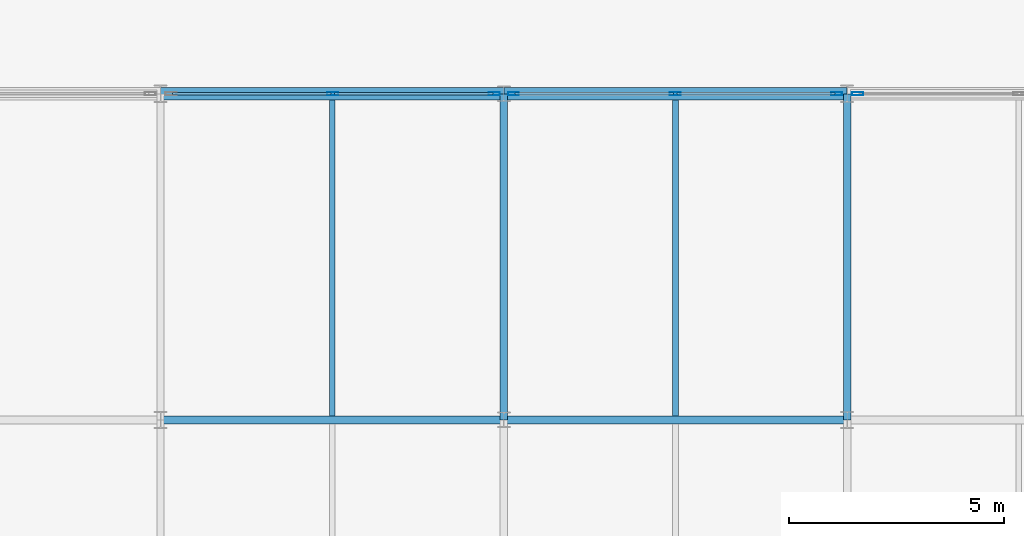
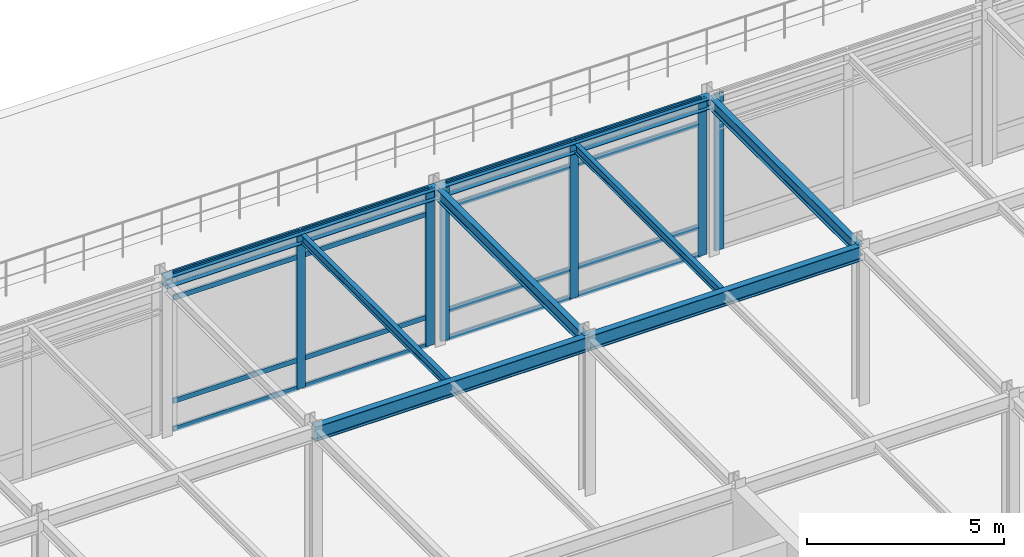
# One storey, part 41 of 79: 22 members, 8 beams, 3 elements without a shape of their own.
"""IFC4 building model written with IfcOpenShell, lengths in metres."""

from ifc_helpers import new_model, si_unit, direction, frame, origin, origin_2d, place, context, subcontext, project, spatial, hollow_rectangle, i_section, extrude, material, layer, layer_set, material_profile, profile_set, type_object, element, aggregate, save


model = new_model("IFC4")

# Units and contexts
model_context = context("Model", 3, precision=1e-05, world=origin(), true_north=direction((0.0, 1.0)))
body_context = subcontext(model_context, "Body", "Model", "MODEL_VIEW")
ifc_project = project(units=[si_unit("LENGTHUNIT", "METRE"), si_unit("AREAUNIT", "SQUARE_METRE"), si_unit("VOLUMEUNIT", "CUBIC_METRE"), si_unit("PLANEANGLEUNIT", "RADIAN"), si_unit("MASSUNIT", "GRAM", prefix="KILO")], contexts=[model_context])

# Site, building, storey
site_placement = place(None, origin())
site = spatial("IfcSite", under=ifc_project, at=site_placement, CompositionType="ELEMENT")
building_placement = place(site_placement, origin())
building = spatial("IfcBuilding", under=site, at=building_placement, Name="Shalkamar Park Central Library", CompositionType="ELEMENT")
storey_placement = place(building_placement, frame((0.0, 0.0, 10.5)))
storey = spatial("IfcBuildingStorey", under=building, at=storey_placement, Name="L03", CompositionType="ELEMENT", Elevation=10.5)

# Beams
ifc_material_1 = material(Name="Steel S355", Category="steel")
ifc_material_profile_1 = material_profile(ifc_material_1, i_section(OverallWidth=0.135009765625, OverallDepth=0.27001953125, WebThickness=0.006591796875, FlangeThickness=0.01025390625, FilletRadius=0.014892578125, at=origin_2d()), Name="IPE 270")
ifc_profile_set_1 = profile_set([ifc_material_profile_1], Name="Steel S355")
beam_type_1 = type_object("IfcBeamType", Name="Composite Floor Joist IPE270", PredefinedType="JOIST", material=ifc_profile_set_1)
for number, where, z_axis, x_axis, name in (
    (1, (201.0, 316.093017578125, 4.705078125), (0.0, 1.0, 0.0), (-1.0, 0.0, 0.0), "Composite Joist 11/L-1 (L03)"),
    (2, (209.0, 316.093017578125, 4.705078125), (0.0, 1.0, 0.0), (-1.0, 0.0, 0.0), "Composite Joist 12/L-1 (L03)"),
):
    element("IfcBeam", number, at=place(storey_placement, frame(where, z_axis=z_axis, x_axis=x_axis)), inside=storey, type_object=beam_type_1, Name=name, PredefinedType="JOIST", context=body_context, shape_type="SweptSolid", body=[
        extrude(i_section(OverallWidth=0.135009765625, OverallDepth=0.27001953125, WebThickness=0.006591796875, FlangeThickness=0.01025390625, FilletRadius=0.014892578125, at=origin_2d()), origin(), (0.0, 0.0, 1.0), 7.35888671875),
    ])

# Curtain wall, members
ifc_material_2 = material(Name="Thermally broken aluminium and triple low-e curtain wall", Category="aluminium")
ifc_layer_1 = layer(ifc_material_2, 0.260009765625)
ifc_layer_set_1 = layer_set([ifc_layer_1], Name="UnitisedCurtainWall_44")
curtain_wall_type_1 = type_object("IfcCurtainWallType", Name="Unitised Curtain Wall 44", PredefinedType="USERDEFINED", material=ifc_layer_set_1)
curtain_wall_1_placement = place(storey_placement, origin())
curtain_wall_1 = element("IfcCurtainWall", 3, at=curtain_wall_1_placement, inside=storey, type_object=curtain_wall_type_1, Name="Unitised Curtain Wall CW-L03-052", ObjectType="UNITISED CURTAIN WALL", PredefinedType="USERDEFINED")
ifc_material_3 = material(Name="Aluminium 6060-T66", Category="aluminium")
ifc_material_profile_2 = material_profile(ifc_material_3, hollow_rectangle(XDim=0.074951171875, YDim=0.260009765625, WallThickness=0.00439453125, InnerFilletRadius=0.00439453125, OuterFilletRadius=0.0068359375, at=origin_2d()), Name="ALU 75x260x4.5")
ifc_profile_set_2 = profile_set([ifc_material_profile_2], Name="Aluminium 6060-T66")
member_type_1 = type_object("IfcMemberType", Name="Curtain Wall Mullion ALU75x260", PredefinedType="MULLION", material=ifc_profile_set_2)
member_1_placement = place(storey_placement, frame((201.010009765625, 323.60009765625, 0.0), z_axis=(0.0, 0.0, 1.0), x_axis=(0.0, 1.0, 0.0)))
member_1 = element("IfcMember", 4, at=member_1_placement, type_object=member_type_1, Name="CW-44 mullion 2", PredefinedType="MULLION", context=body_context, shape_type="SweptSolid", body=[
    extrude(hollow_rectangle(XDim=0.074951171875, YDim=0.260009765625, WallThickness=0.00439453125, InnerFilletRadius=0.00439453125, OuterFilletRadius=0.0068359375, at=origin_2d()), origin(), (0.0, 0.0, 1.0), 4.840087890625),
])
member_2_placement = place(storey_placement, frame((204.778564453125, 323.60009765625, 0.0), z_axis=(0.0, 0.0, 1.0), x_axis=(0.0, 1.0, 0.0)))
member_2 = element("IfcMember", 5, at=member_2_placement, type_object=member_type_1, Name="CW-44 mullion 3", PredefinedType="MULLION", context=body_context, shape_type="SweptSolid", body=[
    extrude(hollow_rectangle(XDim=0.074951171875, YDim=0.260009765625, WallThickness=0.00439453125, InnerFilletRadius=0.00439453125, OuterFilletRadius=0.0068359375, at=origin_2d()), origin(), (0.0, 0.0, 1.0), 4.840087890625),
])

ifc_layer_2 = layer(ifc_material_2, 0.2548828125)
ifc_layer_set_2 = layer_set([ifc_layer_2], Name="UnitisedCurtainWall_45")
curtain_wall_type_2 = type_object("IfcCurtainWallType", Name="Unitised Curtain Wall 45", PredefinedType="USERDEFINED", material=ifc_layer_set_2)
curtain_wall_2_placement = place(storey_placement, origin())
curtain_wall_2 = element("IfcCurtainWall", 6, at=curtain_wall_2_placement, inside=storey, type_object=curtain_wall_type_2, Name="Unitised Curtain Wall CW-L03-053", ObjectType="UNITISED CURTAIN WALL", PredefinedType="USERDEFINED")
ifc_material_profile_3 = material_profile(ifc_material_3, hollow_rectangle(XDim=0.080078125, YDim=0.2548828125, WallThickness=0.00439453125, InnerFilletRadius=0.00439453125, OuterFilletRadius=0.0068359375, at=origin_2d()), Name="ALU 80x255x4.5")
ifc_profile_set_3 = profile_set([ifc_material_profile_3], Name="Aluminium 6060-T66")
member_type_2 = type_object("IfcMemberType", Name="Curtain Wall Mullion ALU80x255", PredefinedType="MULLION", material=ifc_profile_set_3)
member_3_placement = place(storey_placement, frame((205.22412109375, 323.60009765625, 0.0), z_axis=(0.0, 0.0, 1.0), x_axis=(0.0, 1.0, 0.0)))
member_3 = element("IfcMember", 7, at=member_3_placement, type_object=member_type_2, Name="CW-45 mullion 1", PredefinedType="MULLION", context=body_context, shape_type="SweptSolid", body=[
    extrude(hollow_rectangle(XDim=0.080078125, YDim=0.2548828125, WallThickness=0.00439453125, InnerFilletRadius=0.00439453125, OuterFilletRadius=0.0068359375, at=origin_2d()), origin(), (0.0, 0.0, 1.0), 4.840087890625),
])
member_4_placement = place(storey_placement, frame((208.989990234375, 323.60009765625, 0.0), z_axis=(0.0, 0.0, 1.0), x_axis=(0.0, 1.0, 0.0)))
member_4 = element("IfcMember", 8, at=member_4_placement, type_object=member_type_2, Name="CW-45 mullion 2", PredefinedType="MULLION", context=body_context, shape_type="SweptSolid", body=[
    extrude(hollow_rectangle(XDim=0.080078125, YDim=0.2548828125, WallThickness=0.00439453125, InnerFilletRadius=0.00439453125, OuterFilletRadius=0.0068359375, at=origin_2d()), origin(), (0.0, 0.0, 1.0), 4.840087890625),
])
member_5_placement = place(storey_placement, frame((212.756103515625, 323.60009765625, 0.0), z_axis=(0.0, 0.0, 1.0), x_axis=(0.0, 1.0, 0.0)))
member_5 = element("IfcMember", 9, at=member_5_placement, type_object=member_type_2, Name="CW-45 mullion 3", PredefinedType="MULLION", context=body_context, shape_type="SweptSolid", body=[
    extrude(hollow_rectangle(XDim=0.080078125, YDim=0.2548828125, WallThickness=0.00439453125, InnerFilletRadius=0.00439453125, OuterFilletRadius=0.0068359375, at=origin_2d()), origin(), (0.0, 0.0, 1.0), 4.840087890625),
])

# Curtain wall, member
ifc_layer_3 = layer(ifc_material_2, 0.27001953125)
ifc_layer_set_3 = layer_set([ifc_layer_3], Name="UnitisedCurtainWall_42")
curtain_wall_type_3 = type_object("IfcCurtainWallType", Name="Unitised Curtain Wall 42", PredefinedType="USERDEFINED", material=ifc_layer_set_3)
curtain_wall_3_placement = place(storey_placement, origin())
curtain_wall_3 = element("IfcCurtainWall", 10, at=curtain_wall_3_placement, inside=storey, type_object=curtain_wall_type_3, Name="Unitised Curtain Wall CW-L03-054", ObjectType="UNITISED CURTAIN WALL", PredefinedType="USERDEFINED")
ifc_material_profile_4 = material_profile(ifc_material_3, hollow_rectangle(XDim=0.080078125, YDim=0.27001953125, WallThickness=0.0048828125, InnerFilletRadius=0.0048828125, OuterFilletRadius=0.007568359375, at=origin_2d()), Name="ALU 80x270x5")
ifc_profile_set_4 = profile_set([ifc_material_profile_4], Name="Aluminium 6060-T66")
member_type_3 = type_object("IfcMemberType", Name="Curtain Wall Mullion ALU80x270", PredefinedType="MULLION", material=ifc_profile_set_4)
member_6_placement = place(storey_placement, frame((213.243896484375, 323.60009765625, 0.0), z_axis=(0.0, 0.0, 1.0), x_axis=(0.0, 1.0, 0.0)))
member_6 = element("IfcMember", 11, at=member_6_placement, type_object=member_type_3, Name="CW-42 mullion 1", PredefinedType="MULLION", context=body_context, shape_type="SweptSolid", body=[
    extrude(hollow_rectangle(XDim=0.080078125, YDim=0.27001953125, WallThickness=0.0048828125, InnerFilletRadius=0.0048828125, OuterFilletRadius=0.007568359375, at=origin_2d()), origin(), (0.0, 0.0, 1.0), 4.840087890625),
])
aggregate(curtain_wall_3, [member_6])

# Member
ifc_material_profile_5 = material_profile(ifc_material_3, hollow_rectangle(XDim=0.06005859375, YDim=0.1650390625, WallThickness=0.00390625, InnerFilletRadius=0.00390625, OuterFilletRadius=0.006103515625, at=origin_2d()), Name="ALU 60x165x4")
ifc_profile_set_5 = profile_set([ifc_material_profile_5], Name="Aluminium 6060-T66")
member_type_4 = type_object("IfcMemberType", Name="Curtain Wall Transom ALU60x165", PredefinedType="USERDEFINED", material=ifc_profile_set_5)
member_7_placement = place(storey_placement, frame((197.279052734375, 323.60009765625, 0.030029296875), z_axis=(1.0, 0.0, 0.0), x_axis=(0.0, 1.0, 0.0)))
member_7 = element("IfcMember", 12, at=member_7_placement, type_object=member_type_4, Name="CW-44 transom 1.1", ObjectType="TRANSOM", PredefinedType="USERDEFINED", context=body_context, shape_type="SweptSolid", body=[
    extrude(hollow_rectangle(XDim=0.06005859375, YDim=0.1650390625, WallThickness=0.00390625, InnerFilletRadius=0.00390625, OuterFilletRadius=0.006103515625, at=origin_2d()), origin(), (0.0, 0.0, 1.0), 3.693359375),
])

member_8_placement = place(storey_placement, frame((197.279052734375, 323.60009765625, 0.89990234375), z_axis=(1.0, 0.0, 0.0), x_axis=(0.0, 1.0, 0.0)))
member_8 = element("IfcMember", 13, at=member_8_placement, type_object=member_type_4, Name="CW-44 transom 1.2", ObjectType="TRANSOM", PredefinedType="USERDEFINED", context=body_context, shape_type="SweptSolid", body=[
    extrude(hollow_rectangle(XDim=0.06005859375, YDim=0.1650390625, WallThickness=0.00390625, InnerFilletRadius=0.00390625, OuterFilletRadius=0.006103515625, at=origin_2d()), origin(), (0.0, 0.0, 1.0), 3.693359375),
])

member_9_placement = place(storey_placement, frame((197.279052734375, 323.60009765625, 4.090087890625), z_axis=(1.0, 0.0, 0.0), x_axis=(0.0, 1.0, 0.0)))
member_9 = element("IfcMember", 14, at=member_9_placement, type_object=member_type_4, Name="CW-44 transom 1.3", ObjectType="TRANSOM", PredefinedType="USERDEFINED", context=body_context, shape_type="SweptSolid", body=[
    extrude(hollow_rectangle(XDim=0.06005859375, YDim=0.1650390625, WallThickness=0.00390625, InnerFilletRadius=0.00390625, OuterFilletRadius=0.006103515625, at=origin_2d()), origin(), (0.0, 0.0, 1.0), 3.693359375),
])

member_10_placement = place(storey_placement, frame((197.279052734375, 323.60009765625, 4.81005859375), z_axis=(1.0, 0.0, 0.0), x_axis=(0.0, 1.0, 0.0)))
member_10 = element("IfcMember", 15, at=member_10_placement, type_object=member_type_4, Name="CW-44 transom 1.4", ObjectType="TRANSOM", PredefinedType="USERDEFINED", context=body_context, shape_type="SweptSolid", body=[
    extrude(hollow_rectangle(XDim=0.06005859375, YDim=0.1650390625, WallThickness=0.00390625, InnerFilletRadius=0.00390625, OuterFilletRadius=0.006103515625, at=origin_2d()), origin(), (0.0, 0.0, 1.0), 3.693359375),
])

member_11_placement = place(storey_placement, frame((201.047607421875, 323.60009765625, 0.030029296875), z_axis=(1.0, 0.0, 0.0), x_axis=(0.0, 1.0, 0.0)))
member_11 = element("IfcMember", 16, at=member_11_placement, type_object=member_type_4, Name="CW-44 transom 2.1", ObjectType="TRANSOM", PredefinedType="USERDEFINED", context=body_context, shape_type="SweptSolid", body=[
    extrude(hollow_rectangle(XDim=0.06005859375, YDim=0.1650390625, WallThickness=0.00390625, InnerFilletRadius=0.00390625, OuterFilletRadius=0.006103515625, at=origin_2d()), origin(), (0.0, 0.0, 1.0), 3.693359375),
])

member_12_placement = place(storey_placement, frame((201.047607421875, 323.60009765625, 0.89990234375), z_axis=(1.0, 0.0, 0.0), x_axis=(0.0, 1.0, 0.0)))
member_12 = element("IfcMember", 17, at=member_12_placement, type_object=member_type_4, Name="CW-44 transom 2.2", ObjectType="TRANSOM", PredefinedType="USERDEFINED", context=body_context, shape_type="SweptSolid", body=[
    extrude(hollow_rectangle(XDim=0.06005859375, YDim=0.1650390625, WallThickness=0.00390625, InnerFilletRadius=0.00390625, OuterFilletRadius=0.006103515625, at=origin_2d()), origin(), (0.0, 0.0, 1.0), 3.693359375),
])

member_13_placement = place(storey_placement, frame((201.047607421875, 323.60009765625, 4.090087890625), z_axis=(1.0, 0.0, 0.0), x_axis=(0.0, 1.0, 0.0)))
member_13 = element("IfcMember", 18, at=member_13_placement, type_object=member_type_4, Name="CW-44 transom 2.3", ObjectType="TRANSOM", PredefinedType="USERDEFINED", context=body_context, shape_type="SweptSolid", body=[
    extrude(hollow_rectangle(XDim=0.06005859375, YDim=0.1650390625, WallThickness=0.00390625, InnerFilletRadius=0.00390625, OuterFilletRadius=0.006103515625, at=origin_2d()), origin(), (0.0, 0.0, 1.0), 3.693359375),
])

member_14_placement = place(storey_placement, frame((201.047607421875, 323.60009765625, 4.81005859375), z_axis=(1.0, 0.0, 0.0), x_axis=(0.0, 1.0, 0.0)))
member_14 = element("IfcMember", 19, at=member_14_placement, type_object=member_type_4, Name="CW-44 transom 2.4", ObjectType="TRANSOM", PredefinedType="USERDEFINED", context=body_context, shape_type="SweptSolid", body=[
    extrude(hollow_rectangle(XDim=0.06005859375, YDim=0.1650390625, WallThickness=0.00390625, InnerFilletRadius=0.00390625, OuterFilletRadius=0.006103515625, at=origin_2d()), origin(), (0.0, 0.0, 1.0), 3.693359375),
])

aggregate(curtain_wall_1, [member_1, member_2, member_7, member_8, member_9, member_10, member_11, member_12, member_13, member_14])

ifc_material_profile_6 = material_profile(ifc_material_3, hollow_rectangle(XDim=0.06494140625, YDim=0.169921875, WallThickness=0.00390625, InnerFilletRadius=0.00390625, OuterFilletRadius=0.006103515625, at=origin_2d()), Name="ALU 65x170x4")
ifc_profile_set_6 = profile_set([ifc_material_profile_6], Name="Aluminium 6060-T66")
member_type_5 = type_object("IfcMemberType", Name="Curtain Wall Transom ALU65x170", PredefinedType="USERDEFINED", material=ifc_profile_set_6)
member_15_placement = place(storey_placement, frame((205.263916015625, 323.60009765625, 0.032470703125), z_axis=(1.0, 0.0, 0.0), x_axis=(0.0, 1.0, 0.0)))
member_15 = element("IfcMember", 20, at=member_15_placement, type_object=member_type_5, Name="CW-45 transom 1.1", ObjectType="TRANSOM", PredefinedType="USERDEFINED", context=body_context, shape_type="SweptSolid", body=[
    extrude(hollow_rectangle(XDim=0.06494140625, YDim=0.169921875, WallThickness=0.00390625, InnerFilletRadius=0.00390625, OuterFilletRadius=0.006103515625, at=origin_2d()), origin(), (0.0, 0.0, 1.0), 3.68603515625),
])

member_16_placement = place(storey_placement, frame((205.263916015625, 323.60009765625, 0.89990234375), z_axis=(1.0, 0.0, 0.0), x_axis=(0.0, 1.0, 0.0)))
member_16 = element("IfcMember", 21, at=member_16_placement, type_object=member_type_5, Name="CW-45 transom 1.2", ObjectType="TRANSOM", PredefinedType="USERDEFINED", context=body_context, shape_type="SweptSolid", body=[
    extrude(hollow_rectangle(XDim=0.06494140625, YDim=0.169921875, WallThickness=0.00390625, InnerFilletRadius=0.00390625, OuterFilletRadius=0.006103515625, at=origin_2d()), origin(), (0.0, 0.0, 1.0), 3.68603515625),
])

member_17_placement = place(storey_placement, frame((205.263916015625, 323.60009765625, 4.090087890625), z_axis=(1.0, 0.0, 0.0), x_axis=(0.0, 1.0, 0.0)))
member_17 = element("IfcMember", 22, at=member_17_placement, type_object=member_type_5, Name="CW-45 transom 1.3", ObjectType="TRANSOM", PredefinedType="USERDEFINED", context=body_context, shape_type="SweptSolid", body=[
    extrude(hollow_rectangle(XDim=0.06494140625, YDim=0.169921875, WallThickness=0.00390625, InnerFilletRadius=0.00390625, OuterFilletRadius=0.006103515625, at=origin_2d()), origin(), (0.0, 0.0, 1.0), 3.68603515625),
])

member_18_placement = place(storey_placement, frame((205.263916015625, 323.60009765625, 4.8076171875), z_axis=(1.0, 0.0, 0.0), x_axis=(0.0, 1.0, 0.0)))
member_18 = element("IfcMember", 23, at=member_18_placement, type_object=member_type_5, Name="CW-45 transom 1.4", ObjectType="TRANSOM", PredefinedType="USERDEFINED", context=body_context, shape_type="SweptSolid", body=[
    extrude(hollow_rectangle(XDim=0.06494140625, YDim=0.169921875, WallThickness=0.00390625, InnerFilletRadius=0.00390625, OuterFilletRadius=0.006103515625, at=origin_2d()), origin(), (0.0, 0.0, 1.0), 3.68603515625),
])

member_19_placement = place(storey_placement, frame((209.030029296875, 323.60009765625, 0.032470703125), z_axis=(1.0, 0.0, 0.0), x_axis=(0.0, 1.0, 0.0)))
member_19 = element("IfcMember", 24, at=member_19_placement, type_object=member_type_5, Name="CW-45 transom 2.1", ObjectType="TRANSOM", PredefinedType="USERDEFINED", context=body_context, shape_type="SweptSolid", body=[
    extrude(hollow_rectangle(XDim=0.06494140625, YDim=0.169921875, WallThickness=0.00390625, InnerFilletRadius=0.00390625, OuterFilletRadius=0.006103515625, at=origin_2d()), origin(), (0.0, 0.0, 1.0), 3.68603515625),
])

member_20_placement = place(storey_placement, frame((209.030029296875, 323.60009765625, 0.89990234375), z_axis=(1.0, 0.0, 0.0), x_axis=(0.0, 1.0, 0.0)))
member_20 = element("IfcMember", 25, at=member_20_placement, type_object=member_type_5, Name="CW-45 transom 2.2", ObjectType="TRANSOM", PredefinedType="USERDEFINED", context=body_context, shape_type="SweptSolid", body=[
    extrude(hollow_rectangle(XDim=0.06494140625, YDim=0.169921875, WallThickness=0.00390625, InnerFilletRadius=0.00390625, OuterFilletRadius=0.006103515625, at=origin_2d()), origin(), (0.0, 0.0, 1.0), 3.68603515625),
])

member_21_placement = place(storey_placement, frame((209.030029296875, 323.60009765625, 4.090087890625), z_axis=(1.0, 0.0, 0.0), x_axis=(0.0, 1.0, 0.0)))
member_21 = element("IfcMember", 26, at=member_21_placement, type_object=member_type_5, Name="CW-45 transom 2.3", ObjectType="TRANSOM", PredefinedType="USERDEFINED", context=body_context, shape_type="SweptSolid", body=[
    extrude(hollow_rectangle(XDim=0.06494140625, YDim=0.169921875, WallThickness=0.00390625, InnerFilletRadius=0.00390625, OuterFilletRadius=0.006103515625, at=origin_2d()), origin(), (0.0, 0.0, 1.0), 3.68603515625),
])

member_22_placement = place(storey_placement, frame((209.030029296875, 323.60009765625, 4.8076171875), z_axis=(1.0, 0.0, 0.0), x_axis=(0.0, 1.0, 0.0)))
member_22 = element("IfcMember", 27, at=member_22_placement, type_object=member_type_5, Name="CW-45 transom 2.4", ObjectType="TRANSOM", PredefinedType="USERDEFINED", context=body_context, shape_type="SweptSolid", body=[
    extrude(hollow_rectangle(XDim=0.06494140625, YDim=0.169921875, WallThickness=0.00390625, InnerFilletRadius=0.00390625, OuterFilletRadius=0.006103515625, at=origin_2d()), origin(), (0.0, 0.0, 1.0), 3.68603515625),
])

aggregate(curtain_wall_2, [member_3, member_4, member_5, member_15, member_16, member_17, member_18, member_19, member_20, member_21, member_22])

# Beams
ifc_material_profile_7 = material_profile(ifc_material_1, i_section(OverallWidth=0.300048828125, OverallDepth=0.31005859375, WebThickness=0.009033203125, FlangeThickness=0.015380859375, FilletRadius=0.027099609375, at=origin_2d()), Name="HEA 320")
ifc_profile_set_7 = profile_set([ifc_material_profile_7], Name="Steel S355")
beam_type_2 = type_object("IfcBeamType", Name="Perimeter Spandrel Beam HEA320", PredefinedType="SPANDREL", material=ifc_profile_set_7)
for number, where, z_axis, x_axis, name in (
    (28, (197.0, 323.60009765625, 4.68505859375), (1.0, 0.0, 0.0), (0.0, 1.0, 0.0), "Beam M:11-12 (L03)"),
    (29, (205.0, 323.60009765625, 4.68505859375), (1.0, 0.0, 0.0), (0.0, 1.0, 0.0), "Beam M:12-13 (L03)"),
):
    element("IfcBeam", number, at=place(storey_placement, frame(where, z_axis=z_axis, x_axis=x_axis)), inside=storey, type_object=beam_type_2, Name=name, PredefinedType="SPANDREL", context=body_context, shape_type="SweptSolid", body=[
        extrude(i_section(OverallWidth=0.300048828125, OverallDepth=0.31005859375, WebThickness=0.009033203125, FlangeThickness=0.015380859375, FilletRadius=0.027099609375, at=origin_2d()), origin(), (0.0, 0.0, 1.0), 8.0),
    ])
ifc_material_profile_8 = material_profile(ifc_material_1, i_section(OverallWidth=0.169921875, OverallDepth=0.360107421875, WebThickness=0.008056640625, FlangeThickness=0.0126953125, FilletRadius=0.01806640625, at=origin_2d()), Name="IPE 360")
ifc_profile_set_8 = profile_set([ifc_material_profile_8], Name="Steel S355")
beam_type_3 = type_object("IfcBeamType", Name="Primary Girder IPE360", PredefinedType="BEAM", material=ifc_profile_set_8)
for number, where, z_axis, x_axis, name in (
    (30, (205.0, 316.0, 4.659912109375), (0.0, 1.0, 0.0), (-1.0, 0.0, 0.0), "Beam 12:L-M (L03)"),
    (31, (213.0, 316.0, 4.659912109375), (0.0, 1.0, 0.0), (-1.0, 0.0, 0.0), "Beam 13:L-M (L03)"),
):
    element("IfcBeam", number, at=place(storey_placement, frame(where, z_axis=z_axis, x_axis=x_axis)), inside=storey, type_object=beam_type_3, Name=name, PredefinedType="BEAM", context=body_context, shape_type="SweptSolid", body=[
        extrude(i_section(OverallWidth=0.169921875, OverallDepth=0.360107421875, WebThickness=0.008056640625, FlangeThickness=0.0126953125, FilletRadius=0.01806640625, at=origin_2d()), origin(), (0.0, 0.0, 1.0), 7.60009765625),
    ])
ifc_material_profile_9 = material_profile(ifc_material_1, i_section(OverallWidth=0.18994140625, OverallDepth=0.449951171875, WebThickness=0.009521484375, FlangeThickness=0.0146484375, FilletRadius=0.02099609375, at=origin_2d()), Name="IPE 450")
ifc_profile_set_9 = profile_set([ifc_material_profile_9], Name="Steel S355")
beam_type_4 = type_object("IfcBeamType", Name="Primary Girder IPE450", PredefinedType="BEAM", material=ifc_profile_set_9)
for number, where, z_axis, x_axis, name in (
    (32, (197.0, 316.0, 4.614990234375), (1.0, 0.0, 0.0), (0.0, 1.0, 0.0), "Beam L:11-12 (L03)"),
    (33, (205.0, 316.0, 4.614990234375), (1.0, 0.0, 0.0), (0.0, 1.0, 0.0), "Beam L:12-13 (L03)"),
):
    element("IfcBeam", number, at=place(storey_placement, frame(where, z_axis=z_axis, x_axis=x_axis)), inside=storey, type_object=beam_type_4, Name=name, PredefinedType="BEAM", context=body_context, shape_type="SweptSolid", body=[
        extrude(i_section(OverallWidth=0.18994140625, OverallDepth=0.449951171875, WebThickness=0.009521484375, FlangeThickness=0.0146484375, FilletRadius=0.02099609375, at=origin_2d()), origin(), (0.0, 0.0, 1.0), 8.0),
    ])

save(model, "model.ifc")
